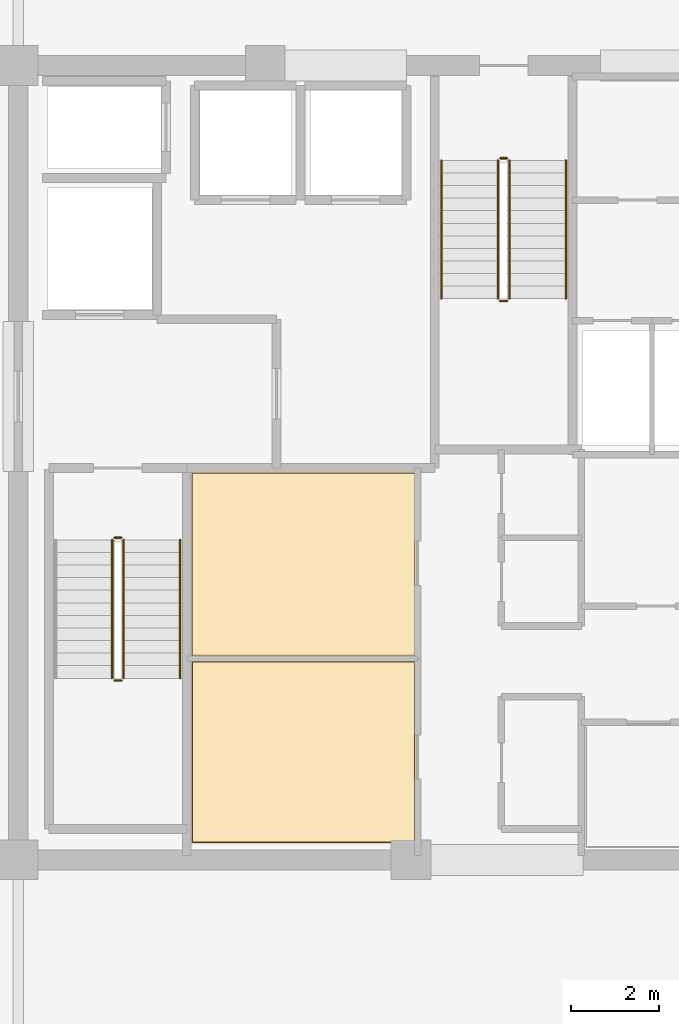
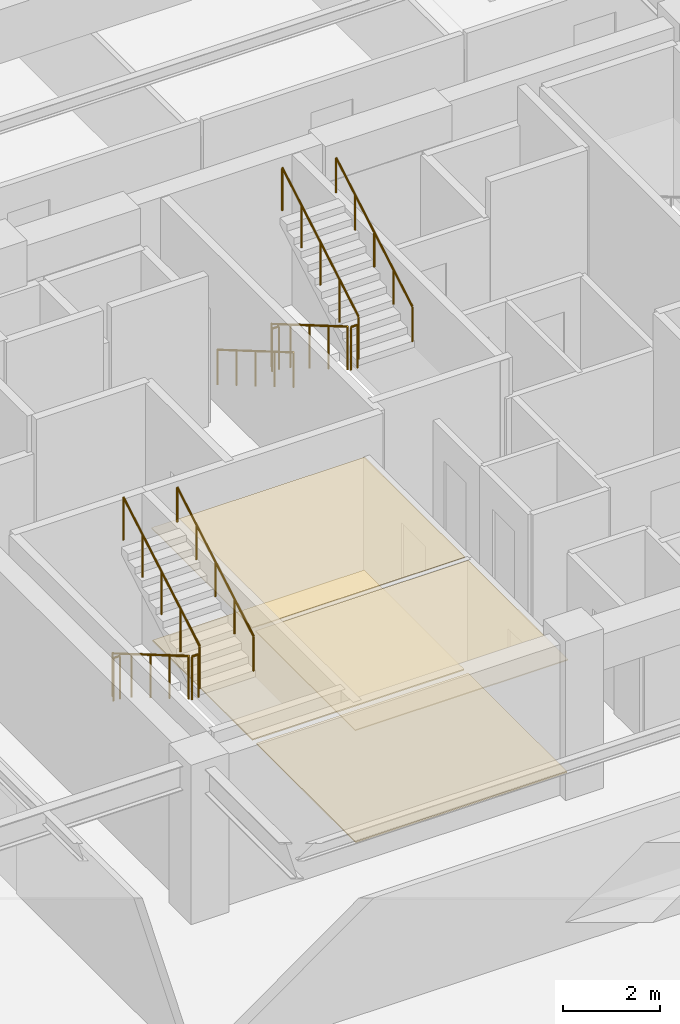
# One storey, part 21 of 23: 11 railings, 4 coverings.
"""IFC4 building model written with IfcOpenShell, lengths in metres."""

import ifcopenshell
import ifcopenshell.guid

model = None  # the IFC model being written
_history = None  # IfcOwnerHistory: only IFC2X3 demands one
_inside = {}  # id of a spatial element -> (the spatial element, [elements in it])
_under = {}  # id of a project, library or spatial element -> (it, [spatial elements below it])
_declared = {}  # id of a project -> (the project, [libraries it declares])
_typed = {}  # id of a type object -> (the type object, [elements of that type])
_made_of = {}  # id of a material, layer set ... -> (it, [elements and type objects made of it])


def new_model(schema):
    """Start an empty IFC model of exactly this schema.

    Asked for "IFC4X3", IfcOpenShell would pick the latest addendum, in which some entities
    have other attributes; the version numbers below select the first issue.
    IFC2X3 requires an IfcOwnerHistory on every rooted entity: one is made here for all.
    """
    global model, _history
    if schema == "IFC4X3":
        model = ifcopenshell.file(schema_version=(4, 3, 0, 0))
    else:
        model = ifcopenshell.file(schema=schema)
    _inside.clear()
    _under.clear()
    _declared.clear()
    _typed.clear()
    _made_of.clear()
    _history = None
    if model.schema == "IFC2X3":
        org = make("IfcOrganization", Name="unknown")
        user = make(
            "IfcPersonAndOrganization",
            ThePerson=make("IfcPerson", FamilyName="unknown"),
            TheOrganization=org,
        )
        app = make(
            "IfcApplication",
            ApplicationDeveloper=org,
            Version="unknown",
            ApplicationFullName="unknown",
            ApplicationIdentifier="unknown",
        )
        _history = make(
            "IfcOwnerHistory",
            OwningUser=user,
            OwningApplication=app,
            ChangeAction="ADDED",
            CreationDate=0,
        )
    return model


def make(cls, **values):
    """One entity of the class cls with the attributes given. An attribute that is None is left unset."""
    return model.create_entity(
        cls, **{name: value for name, value in values.items() if value is not None}
    )


def rooted(cls, **values):
    """An entity with a GlobalId (a new one), such as an element, a storey or a relation."""
    return make(cls, GlobalId=ifcopenshell.guid.new(), OwnerHistory=_history, **values)


def si_unit(unit_type, name, prefix=None):
    """IfcSIUnit, for example si_unit("LENGTHUNIT", "METRE", prefix="MILLI")."""
    return make("IfcSIUnit", UnitType=unit_type, Prefix=prefix, Name=name)


def assignment(units):
    """IfcUnitAssignment: the units of a project."""
    return None if units is None else make("IfcUnitAssignment", Units=units)


def point(xyz):
    """IfcCartesianPoint."""
    return None if xyz is None else make("IfcCartesianPoint", Coordinates=xyz)


def direction(xyz):
    """IfcDirection."""
    return None if xyz is None else make("IfcDirection", DirectionRatios=xyz)


def frame(location, z_axis=None, x_axis=None):
    """IfcAxis2Placement3D, a coordinate frame: its origin and axes. An axis left out is left unset."""
    return make(
        "IfcAxis2Placement3D",
        Location=point(location),
        Axis=direction(z_axis),
        RefDirection=direction(x_axis),
    )


def frame_2d(location, x_axis=None):
    """IfcAxis2Placement2D, a coordinate frame in the plane: its origin and x axis."""
    return make(
        "IfcAxis2Placement2D", Location=point(location), RefDirection=direction(x_axis)
    )


def origin():
    """The frame at (0, 0, 0) with its axes left unset."""
    return frame((0.0, 0.0, 0.0))


def origin_2d():
    """The frame at (0, 0) in the plane with its x axis left unset."""
    return frame_2d((0.0, 0.0))


def place(relative_to, where):
    """IfcLocalPlacement: puts the frame where relative to a parent placement (None: the world)."""
    return make(
        "IfcLocalPlacement", PlacementRelTo=relative_to, RelativePlacement=where
    )


def context(
    kind, dimensions, precision=None, world=None, true_north=None, identifier=None
):
    """IfcGeometricRepresentationContext, for example the 3D "Model" context."""
    return make(
        "IfcGeometricRepresentationContext",
        ContextIdentifier=identifier,
        ContextType=kind,
        CoordinateSpaceDimension=dimensions,
        Precision=precision,
        WorldCoordinateSystem=world,
        TrueNorth=true_north,
    )


def subcontext(parent, identifier, kind, view, scale=None):
    """IfcGeometricRepresentationSubContext, for example "Body" below "Model"."""
    return make(
        "IfcGeometricRepresentationSubContext",
        ContextIdentifier=identifier,
        ContextType=kind,
        ParentContext=parent,
        TargetScale=scale,
        TargetView=view,
    )


def project(units=None, contexts=None):
    """IfcProject with its units and contexts."""
    return rooted(
        "IfcProject",
        Name="project",
        RepresentationContexts=contexts,
        UnitsInContext=assignment(units),
    )


def spatial(cls, under=None, at=None, **own):
    """A site, building, storey or space (cls), placed at a placement, below another one or the project."""
    s = rooted(cls, ObjectPlacement=at, **own)
    if under is not None:
        _under.setdefault(under.id(), (under, []))[1].append(s)
    return s


def polyline(points):
    """IfcPolyline through the points."""
    return make("IfcPolyline", Points=[point(p) for p in points])


def profile(cls, at=None, kind="AREA", **sizes):
    """A parametric profile (cls). Its sizes go by their IFC names, for example OverallWidth=200.0."""
    return make(cls, ProfileType=kind, Position=at, **sizes)


def circle(**sizes):
    """IfcCircleProfileDef."""
    return profile("IfcCircleProfileDef", **sizes)


def outline(outer, holes=None, kind="AREA"):
    """IfcArbitraryClosedProfileDef: a profile drawn as a closed curve; with holes, ...WithVoids."""
    if holes is None:
        return make("IfcArbitraryClosedProfileDef", ProfileType=kind, OuterCurve=outer)
    return make(
        "IfcArbitraryProfileDefWithVoids",
        ProfileType=kind,
        OuterCurve=outer,
        InnerCurves=holes,
    )


def extrude(swept, where, along, depth):
    """IfcExtrudedAreaSolid: the profile swept, set in the frame where, extruded along a direction by depth."""
    return make(
        "IfcExtrudedAreaSolid",
        SweptArea=swept,
        Position=where,
        ExtrudedDirection=direction(along),
        Depth=depth,
    )


def shape(context_of_items, identifier, shape_type, items):
    """IfcShapeRepresentation: the items that make up one representation, for example the "Body"."""
    return make(
        "IfcShapeRepresentation",
        ContextOfItems=context_of_items,
        RepresentationIdentifier=identifier,
        RepresentationType=shape_type,
        Items=items,
    )


def material(Name=None, Category=None):
    """IfcMaterial."""
    return make("IfcMaterial", Name=Name, Category=Category)


def layer(
    of_material, thickness, ventilated=None, Name=None, Category=None, Priority=None
):
    """IfcMaterialLayer: one layer of a wall or slab, of a material (None: an air gap)."""
    return make(
        "IfcMaterialLayer",
        Material=of_material,
        LayerThickness=thickness,
        IsVentilated=ventilated,
        Name=Name,
        Category=Category,
        Priority=Priority,
    )


def layer_set(layers, Name=None):
    """IfcMaterialLayerSet."""
    return make("IfcMaterialLayerSet", MaterialLayers=layers, LayerSetName=Name)


def made_of(thing, what):
    """Note that an element or type object is made of a material, layer set ...; save() writes the relation."""
    if what is not None:
        _made_of.setdefault(what.id(), (what, []))[1].append(thing)
    return thing


def type_object(cls, material=None, **own):
    """A type object (cls), such as IfcWallType, which elements share."""
    return made_of(rooted(cls, **own), material)


def element(
    cls,
    number,
    at=None,
    inside=None,
    cuts=None,
    type_object=None,
    material=None,
    context=None,
    identifier="Body",
    shape_type=None,
    held_by="IfcProductDefinitionShape",
    body=None,
    shapes=None,
    **own,
):
    """One element of the class cls, such as IfcWall. Its Tag is "e" and its number.

    at: its placement. inside: the storey or other place that contains it. cuts: it is an
    opening in that element (IfcRelVoidsElement). A single representation is given by context,
    identifier, shape_type and body (its items); several are given by shapes. held_by: the class
    of the entity that holds the representations. save() writes the other relations.
    """
    e = rooted(cls, Tag="e%d" % number, ObjectPlacement=at, **own)
    if body is not None:
        shapes = [shape(context, identifier, shape_type, body)]
    if shapes is not None:
        e.Representation = make(held_by, Representations=shapes)
    if inside is not None:
        _inside.setdefault(inside.id(), (inside, []))[1].append(e)
    if cuts is not None:
        rooted(
            "IfcRelVoidsElement", RelatingBuildingElement=cuts, RelatedOpeningElement=e
        )
    if type_object is not None:
        _typed.setdefault(type_object.id(), (type_object, []))[1].append(e)
    return made_of(e, material)


def aggregate(whole, parts):
    """IfcRelAggregates: a whole, such as a stair, and the parts it consists of."""
    return rooted("IfcRelAggregates", RelatingObject=whole, RelatedObjects=parts)


def save(model, path):
    """Write the relations noted so far, then the file.

    IfcRelAggregates (storeys below a building ...), IfcRelContainedInSpatialStructure (elements
    in a storey), IfcRelDefinesByType, IfcRelAssociatesMaterial and IfcRelDeclares: one each for
    every whole, place, type object, material and project.
    """
    for whole, parts in _under.values():
        aggregate(whole, parts)
    for where, things in _inside.values():
        rooted(
            "IfcRelContainedInSpatialStructure",
            RelatedElements=things,
            RelatingStructure=where,
        )
    for kind, things in _typed.values():
        rooted("IfcRelDefinesByType", RelatedObjects=things, RelatingType=kind)
    for what, things in _made_of.values():
        rooted("IfcRelAssociatesMaterial", RelatedObjects=things, RelatingMaterial=what)
    for by, libraries in _declared.values():
        rooted("IfcRelDeclares", RelatingContext=by, RelatedDefinitions=libraries)
    model.write(path)


model = new_model("IFC4")

# Units and contexts
model_context = context("Model", 3, precision=1e-05, world=origin(), true_north=direction((0.0, 1.0)))
body_context = subcontext(model_context, "Body", "Model", "MODEL_VIEW")
ifc_project = project(units=[si_unit("LENGTHUNIT", "METRE"), si_unit("AREAUNIT", "SQUARE_METRE"), si_unit("VOLUMEUNIT", "CUBIC_METRE"), si_unit("PLANEANGLEUNIT", "RADIAN"), si_unit("MASSUNIT", "GRAM", prefix="KILO")], contexts=[model_context])

# Site, building, storey
site_placement = place(None, origin())
site = spatial("IfcSite", under=ifc_project, at=site_placement, CompositionType="ELEMENT")
building_placement = place(site_placement, origin())
building = spatial("IfcBuilding", under=site, at=building_placement, Name="Kovane Verandah Tower", CompositionType="ELEMENT")
storey_placement = place(building_placement, frame((0.0, 0.0, 267.199951171875)))
storey = spatial("IfcBuildingStorey", under=building, at=storey_placement, Name="L62", CompositionType="ELEMENT", Elevation=267.199951171875)

# Coverings
ifc_material_1 = material(Name="Perforated Acoustic Mineral-Fibre Ceiling Tile", Category="gypsum")
ifc_layer_1 = layer(ifc_material_1, 0.02490234375)
ifc_layer_set_1 = layer_set([ifc_layer_1], Name="Perforated Acoustic Mineral-Fibre Ceiling Tile")
covering_type_1 = type_object("IfcCoveringType", Name="CV-CEIL-25", PredefinedType="CEILING", material=ifc_layer_set_1)
covering_1_placement = place(storey_placement, frame((0.0, 0.0, 2.824951171875)))
element("IfcCovering", 1, at=covering_1_placement, inside=storey, type_object=covering_type_1, Name="L62 IT Server Room Acoustic Ceiling", PredefinedType="CEILING", context=body_context, shape_type="SweptSolid", body=[
    extrude(outline(polyline([(32.93505859375, 18.885009765625), (37.9951171875, 18.885009765625), (37.9951171875, 22.9951171875), (32.93505859375, 22.9951171875), (32.93505859375, 18.885009765625)])), origin(), (0.0, 0.0, 1.0), 0.025146484375),
])
covering_2_placement = place(storey_placement, frame((0.0, 0.0, 2.824951171875)))
element("IfcCovering", 2, at=covering_2_placement, inside=storey, type_object=covering_type_1, Name="L62 Telecom MDF Room Acoustic Ceiling", PredefinedType="CEILING", context=body_context, shape_type="SweptSolid", body=[
    extrude(outline(polyline([(32.93505859375, 23.125), (37.9951171875, 23.125), (37.9951171875, 27.264892578125), (32.93505859375, 27.264892578125), (32.93505859375, 23.125)])), origin(), (0.0, 0.0, 1.0), 0.025146484375),
])
ifc_material_2 = material(Name="Polished Terrazzo and Raised-Access Carpet Tile Finish", Category="concrete")
ifc_layer_2 = layer(ifc_material_2, 0.030029296875)
ifc_layer_set_2 = layer_set([ifc_layer_2], Name="Polished Terrazzo and Raised-Access Carpet Tile Finish")
covering_type_2 = type_object("IfcCoveringType", Name="CV-FLOR-30", PredefinedType="FLOORING", material=ifc_layer_set_2)
covering_3_placement = place(storey_placement, origin())
element("IfcCovering", 3, at=covering_3_placement, inside=storey, type_object=covering_type_2, Name="L62 IT Server Room Floor Finish", PredefinedType="FLOORING", context=body_context, shape_type="SweptSolid", body=[
    extrude(outline(polyline([(32.949951171875, 18.89990234375), (37.97998046875, 18.89990234375), (37.97998046875, 22.97998046875), (32.949951171875, 22.97998046875), (32.949951171875, 18.89990234375)])), origin(), (0.0, 0.0, 1.0), 0.030029296875),
])
covering_4_placement = place(storey_placement, origin())
element("IfcCovering", 4, at=covering_4_placement, inside=storey, type_object=covering_type_2, Name="L62 Telecom MDF Room Floor Finish", PredefinedType="FLOORING", context=body_context, shape_type="SweptSolid", body=[
    extrude(outline(polyline([(32.949951171875, 23.139892578125), (37.97998046875, 23.139892578125), (37.97998046875, 27.25), (32.949951171875, 27.25), (32.949951171875, 23.139892578125)])), origin(), (0.0, 0.0, 1.0), 0.030029296875),
])

# Railings
ifc_material_3 = material(Name="Brushed Stainless Steel Handrail", Category="steel")
railing_type_1 = type_object("IfcRailingType", Name="RL-HAND-920", PredefinedType="HANDRAIL", material=ifc_material_3)
railing_1_placement = place(storey_placement, frame((32.669921875, 22.614990234375, 2.166748046875)))
element("IfcRailing", 5, at=railing_1_placement, inside=storey, type_object=railing_type_1, Name="L62 ST-01 stair handrail 2", PredefinedType="HANDRAIL", context=body_context, shape_type="SweptSolid", body=[
    extrude(circle(Radius=0.02392578125, at=origin_2d()), frame((0.0, 0.0, 0.8759765625), z_axis=(0.0, 0.863239559939, 0.504794475164), x_axis=(-1.0, 0.0, 0.0)), (0.0, 0.0, 1.0), 3.631591796875),
    extrude(circle(Radius=0.02099609375, at=origin_2d()), origin(), (0.0, 0.0, 1.0), 0.851806640625),
    extrude(circle(Radius=0.02099609375, at=origin_2d()), frame((0.0, 0.78369140625, 0.458251953125)), (0.0, 0.0, 1.0), 0.851806640625),
    extrude(circle(Radius=0.02099609375, at=origin_2d()), frame((0.0, 1.5673828125, 0.91650390625)), (0.0, 0.0, 1.0), 0.851806640625),
    extrude(circle(Radius=0.02099609375, at=origin_2d()), frame((0.0, 2.351318359375, 1.375)), (0.0, 0.0, 1.0), 0.851806640625),
    extrude(circle(Radius=0.02099609375, at=origin_2d()), frame((0.0, 3.135009765625, 1.833251953125)), (0.0, 0.0, 1.0), 0.851806640625),
])
railing_2_placement = place(storey_placement, frame((38.590087890625, 34.35009765625, 0.166748046875)))
element("IfcRailing", 6, at=railing_2_placement, inside=storey, type_object=railing_type_1, Name="L62 ST-03 stair handrail 1", PredefinedType="HANDRAIL", context=body_context, shape_type="SweptSolid", body=[
    extrude(circle(Radius=0.02392578125, at=origin_2d()), frame((0.0, 0.0, 0.8759765625), z_axis=(0.0, -0.863239559939, 0.504794475164), x_axis=(1.0, 0.0, 0.0)), (0.0, 0.0, 1.0), 3.631591796875),
    extrude(circle(Radius=0.02099609375, at=origin_2d()), origin(), (0.0, 0.0, 1.0), 0.851806640625),
    extrude(circle(Radius=0.02099609375, at=origin_2d()), frame((0.0, -0.78369140625, 0.458251953125)), (0.0, 0.0, 1.0), 0.851806640625),
    extrude(circle(Radius=0.02099609375, at=origin_2d()), frame((0.0, -1.5673828125, 0.91650390625)), (0.0, 0.0, 1.0), 0.851806640625),
    extrude(circle(Radius=0.02099609375, at=origin_2d()), frame((0.0, -2.351318359375, 1.375)), (0.0, 0.0, 1.0), 0.851806640625),
    extrude(circle(Radius=0.02099609375, at=origin_2d()), frame((0.0, -3.135009765625, 1.833251953125)), (0.0, 0.0, 1.0), 0.851806640625),
])
railing_3_placement = place(storey_placement, frame((41.409912109375, 31.215087890625, 2.166748046875)))
element("IfcRailing", 7, at=railing_3_placement, inside=storey, type_object=railing_type_1, Name="L62 ST-03 stair handrail 2", PredefinedType="HANDRAIL", context=body_context, shape_type="SweptSolid", body=[
    extrude(circle(Radius=0.02392578125, at=origin_2d()), frame((0.0, 0.0, 0.8759765625), z_axis=(0.0, 0.863239559939, 0.504794475164), x_axis=(-1.0, 0.0, 0.0)), (0.0, 0.0, 1.0), 3.631591796875),
    extrude(circle(Radius=0.02099609375, at=origin_2d()), origin(), (0.0, 0.0, 1.0), 0.851806640625),
    extrude(circle(Radius=0.02099609375, at=origin_2d()), frame((0.0, 0.78369140625, 0.458251953125)), (0.0, 0.0, 1.0), 0.851806640625),
    extrude(circle(Radius=0.02099609375, at=origin_2d()), frame((0.0, 1.5673828125, 0.91650390625)), (0.0, 0.0, 1.0), 0.851806640625),
    extrude(circle(Radius=0.02099609375, at=origin_2d()), frame((0.0, 2.351318359375, 1.375)), (0.0, 0.0, 1.0), 0.851806640625),
    extrude(circle(Radius=0.02099609375, at=origin_2d()), frame((0.0, 3.135009765625, 1.833251953125)), (0.0, 0.0, 1.0), 0.851806640625),
])
ifc_material_4 = material(Name="Painted Steel Stairwell Guardrail", Category="steel")
railing_type_2 = type_object("IfcRailingType", Name="RL-STGUARD-1120", PredefinedType="GUARDRAIL", material=ifc_material_4)
railing_4_placement = place(storey_placement, frame((31.1298828125, 25.75, 0.166748046875)))
element("IfcRailing", 8, at=railing_4_placement, inside=storey, type_object=railing_type_2, Name="L62 ST-01 stair guard 1", PredefinedType="GUARDRAIL", context=body_context, shape_type="SweptSolid", body=[
    extrude(circle(Radius=0.02392578125, at=origin_2d()), frame((0.0, 0.0, 1.076171875), z_axis=(0.0, -0.863239559939, 0.504794475164), x_axis=(1.0, 0.0, 0.0)), (0.0, 0.0, 1.0), 3.631591796875),
    extrude(circle(Radius=0.02099609375, at=origin_2d()), origin(), (0.0, 0.0, 1.0), 1.052001953125),
    extrude(circle(Radius=0.02099609375, at=origin_2d()), frame((0.0, -0.78369140625, 0.458251953125)), (0.0, 0.0, 1.0), 1.052001953125),
    extrude(circle(Radius=0.02099609375, at=origin_2d()), frame((0.0, -1.5673828125, 0.91650390625)), (0.0, 0.0, 1.0), 1.052001953125),
    extrude(circle(Radius=0.02099609375, at=origin_2d()), frame((0.0, -2.351318359375, 1.375)), (0.0, 0.0, 1.0), 1.052001953125),
    extrude(circle(Radius=0.02099609375, at=origin_2d()), frame((0.0, -3.135009765625, 1.833251953125)), (0.0, 0.0, 1.0), 1.052001953125),
])
railing_5_placement = place(storey_placement, frame((31.179931640625, 22.56494140625, 2.0)))
element("IfcRailing", 9, at=railing_5_placement, inside=storey, type_object=railing_type_2, Name="L62 ST-01 stair guard 2", PredefinedType="GUARDRAIL", context=body_context, shape_type="SweptSolid", body=[
    extrude(circle(Radius=0.02392578125, at=origin_2d()), frame((0.0, 0.0, 1.076171875), z_axis=(1.0, 0.0, 0.0), x_axis=(0.0, 1.0, 0.0)), (0.0, 0.0, 1.0), 0.16015625),
    extrude(circle(Radius=0.02099609375, at=origin_2d()), origin(), (0.0, 0.0, 1.0), 1.052001953125),
    extrude(circle(Radius=0.02099609375, at=origin_2d()), frame((0.16015625, 0.0, 0.0)), (0.0, 0.0, 1.0), 1.052001953125),
])
railing_6_placement = place(storey_placement, frame((31.389892578125, 22.614990234375, 2.166748046875)))
element("IfcRailing", 10, at=railing_6_placement, inside=storey, type_object=railing_type_2, Name="L62 ST-01 stair guard 3", PredefinedType="GUARDRAIL", context=body_context, shape_type="SweptSolid", body=[
    extrude(circle(Radius=0.02392578125, at=origin_2d()), frame((0.0, 0.0, 1.076171875), z_axis=(0.0, 0.863239559939, 0.504794475164), x_axis=(-1.0, 0.0, 0.0)), (0.0, 0.0, 1.0), 3.631591796875),
    extrude(circle(Radius=0.02099609375, at=origin_2d()), origin(), (0.0, 0.0, 1.0), 1.052001953125),
    extrude(circle(Radius=0.02099609375, at=origin_2d()), frame((0.0, 0.78369140625, 0.458251953125)), (0.0, 0.0, 1.0), 1.052001953125),
    extrude(circle(Radius=0.02099609375, at=origin_2d()), frame((0.0, 1.5673828125, 0.91650390625)), (0.0, 0.0, 1.0), 1.052001953125),
    extrude(circle(Radius=0.02099609375, at=origin_2d()), frame((0.0, 2.351318359375, 1.375)), (0.0, 0.0, 1.0), 1.052001953125),
    extrude(circle(Radius=0.02099609375, at=origin_2d()), frame((0.0, 3.135009765625, 1.833251953125)), (0.0, 0.0, 1.0), 1.052001953125),
])
railing_7_placement = place(storey_placement, frame((31.179931640625, 25.800048828125, 0.0)))
element("IfcRailing", 11, at=railing_7_placement, inside=storey, type_object=railing_type_2, Name="L62 ST-01 stair guard 4", PredefinedType="GUARDRAIL", context=body_context, shape_type="SweptSolid", body=[
    extrude(circle(Radius=0.02392578125, at=origin_2d()), frame((0.0, 0.0, 1.076171875), z_axis=(1.0, 0.0, 0.0), x_axis=(0.0, 1.0, 0.0)), (0.0, 0.0, 1.0), 0.16015625),
    extrude(circle(Radius=0.02099609375, at=origin_2d()), origin(), (0.0, 0.0, 1.0), 1.052001953125),
    extrude(circle(Radius=0.02099609375, at=origin_2d()), frame((0.16015625, 0.0, 0.0)), (0.0, 0.0, 1.0), 1.052001953125),
])
railing_8_placement = place(storey_placement, frame((39.8701171875, 34.35009765625, 0.166748046875)))
element("IfcRailing", 12, at=railing_8_placement, inside=storey, type_object=railing_type_2, Name="L62 ST-03 stair guard 1", PredefinedType="GUARDRAIL", context=body_context, shape_type="SweptSolid", body=[
    extrude(circle(Radius=0.02392578125, at=origin_2d()), frame((0.0, 0.0, 1.076171875), z_axis=(0.0, -0.863239559939, 0.504794475164), x_axis=(1.0, 0.0, 0.0)), (0.0, 0.0, 1.0), 3.631591796875),
    extrude(circle(Radius=0.02099609375, at=origin_2d()), origin(), (0.0, 0.0, 1.0), 1.052001953125),
    extrude(circle(Radius=0.02099609375, at=origin_2d()), frame((0.0, -0.78369140625, 0.458251953125)), (0.0, 0.0, 1.0), 1.052001953125),
    extrude(circle(Radius=0.02099609375, at=origin_2d()), frame((0.0, -1.5673828125, 0.91650390625)), (0.0, 0.0, 1.0), 1.052001953125),
    extrude(circle(Radius=0.02099609375, at=origin_2d()), frame((0.0, -2.351318359375, 1.375)), (0.0, 0.0, 1.0), 1.052001953125),
    extrude(circle(Radius=0.02099609375, at=origin_2d()), frame((0.0, -3.135009765625, 1.833251953125)), (0.0, 0.0, 1.0), 1.052001953125),
])
railing_9_placement = place(storey_placement, frame((39.919921875, 31.1650390625, 2.0)))
element("IfcRailing", 13, at=railing_9_placement, inside=storey, type_object=railing_type_2, Name="L62 ST-03 stair guard 2", PredefinedType="GUARDRAIL", context=body_context, shape_type="SweptSolid", body=[
    extrude(circle(Radius=0.02392578125, at=origin_2d()), frame((0.0, 0.0, 1.076171875), z_axis=(1.0, 0.0, 0.0), x_axis=(0.0, 1.0, 0.0)), (0.0, 0.0, 1.0), 0.16015625),
    extrude(circle(Radius=0.02099609375, at=origin_2d()), origin(), (0.0, 0.0, 1.0), 1.052001953125),
    extrude(circle(Radius=0.02099609375, at=origin_2d()), frame((0.16015625, 0.0, 0.0)), (0.0, 0.0, 1.0), 1.052001953125),
])
railing_10_placement = place(storey_placement, frame((40.1298828125, 31.215087890625, 2.166748046875)))
element("IfcRailing", 14, at=railing_10_placement, inside=storey, type_object=railing_type_2, Name="L62 ST-03 stair guard 3", PredefinedType="GUARDRAIL", context=body_context, shape_type="SweptSolid", body=[
    extrude(circle(Radius=0.02392578125, at=origin_2d()), frame((0.0, 0.0, 1.076171875), z_axis=(0.0, 0.863239559939, 0.504794475164), x_axis=(-1.0, 0.0, 0.0)), (0.0, 0.0, 1.0), 3.631591796875),
    extrude(circle(Radius=0.02099609375, at=origin_2d()), origin(), (0.0, 0.0, 1.0), 1.052001953125),
    extrude(circle(Radius=0.02099609375, at=origin_2d()), frame((0.0, 0.78369140625, 0.458251953125)), (0.0, 0.0, 1.0), 1.052001953125),
    extrude(circle(Radius=0.02099609375, at=origin_2d()), frame((0.0, 1.5673828125, 0.91650390625)), (0.0, 0.0, 1.0), 1.052001953125),
    extrude(circle(Radius=0.02099609375, at=origin_2d()), frame((0.0, 2.351318359375, 1.375)), (0.0, 0.0, 1.0), 1.052001953125),
    extrude(circle(Radius=0.02099609375, at=origin_2d()), frame((0.0, 3.135009765625, 1.833251953125)), (0.0, 0.0, 1.0), 1.052001953125),
])
railing_11_placement = place(storey_placement, frame((39.919921875, 34.39990234375, 0.0)))
element("IfcRailing", 15, at=railing_11_placement, inside=storey, type_object=railing_type_2, Name="L62 ST-03 stair guard 4", PredefinedType="GUARDRAIL", context=body_context, shape_type="SweptSolid", body=[
    extrude(circle(Radius=0.02392578125, at=origin_2d()), frame((0.0, 0.0, 1.076171875), z_axis=(1.0, 0.0, 0.0), x_axis=(0.0, 1.0, 0.0)), (0.0, 0.0, 1.0), 0.16015625),
    extrude(circle(Radius=0.02099609375, at=origin_2d()), origin(), (0.0, 0.0, 1.0), 1.052001953125),
    extrude(circle(Radius=0.02099609375, at=origin_2d()), frame((0.16015625, 0.0, 0.0)), (0.0, 0.0, 1.0), 1.052001953125),
])

save(model, "model.ifc")
